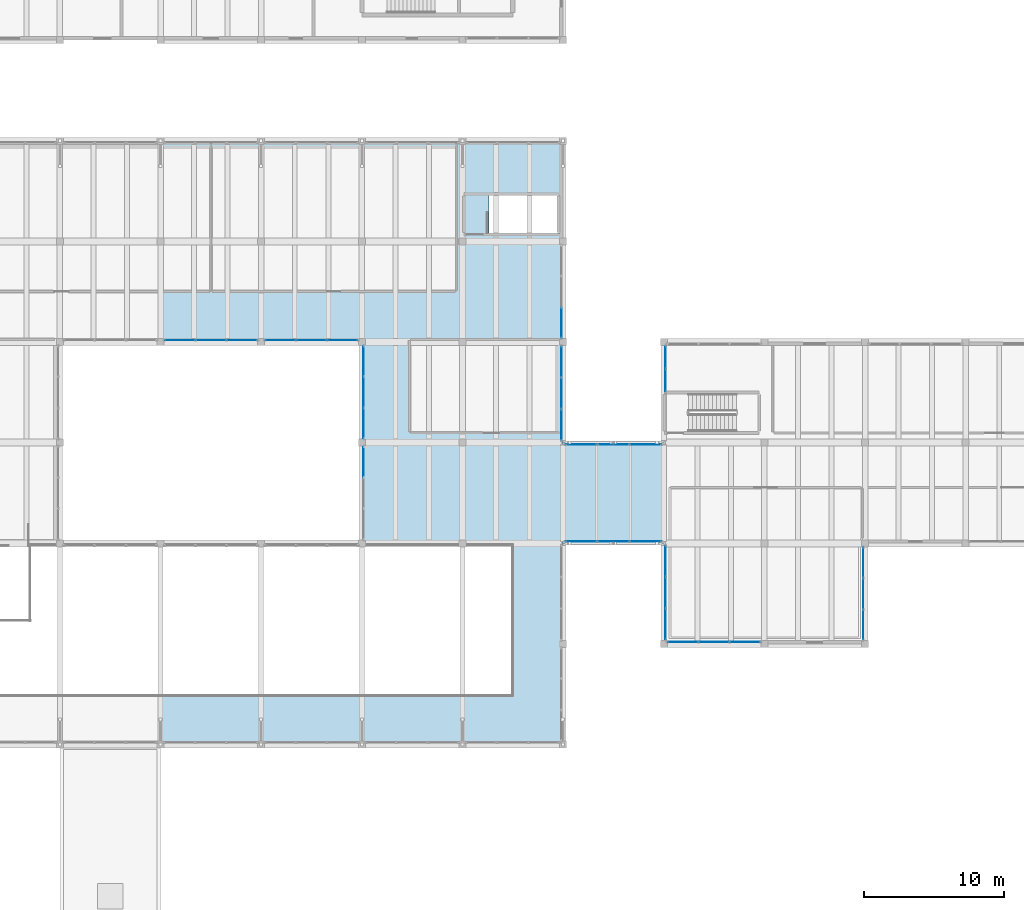
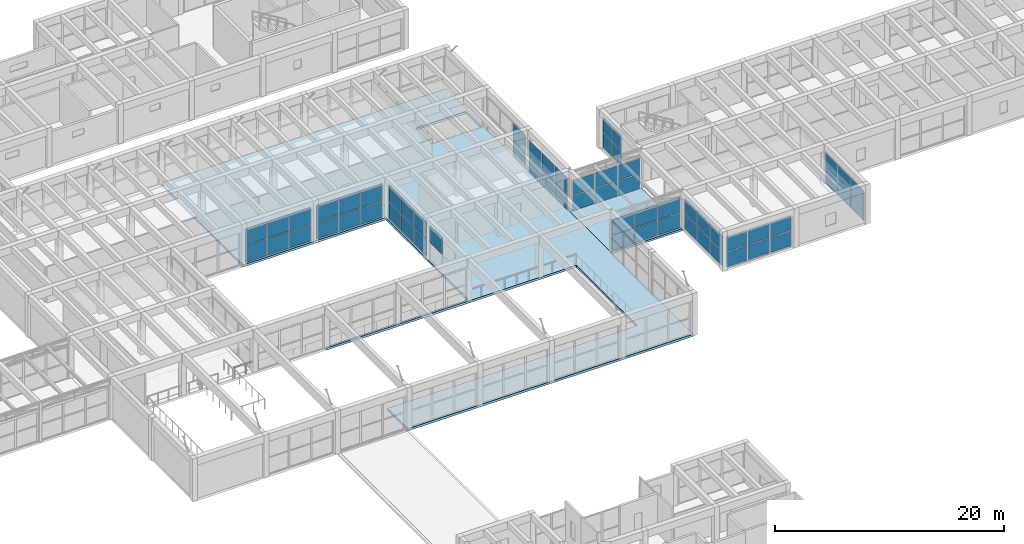
# One storey, part 120 of 153: 61 plates, 2 slabs, 12 elements without a shape of their own.
"""IFC4 building model written with IfcOpenShell, lengths in metres."""

from ifc_helpers import new_model, si_unit, direction, frame, origin, origin_2d, place, context, subcontext, project, spatial, polyline, rectangle, outline, extrude, material, layer, layer_set, type_object, element, aggregate, save


model = new_model("IFC4")

# Units and contexts
model_context = context("Model", 3, precision=1e-05, world=origin(), true_north=direction((0.0, 1.0)))
body_context = subcontext(model_context, "Body", "Model", "MODEL_VIEW")
ifc_project = project(units=[si_unit("LENGTHUNIT", "METRE"), si_unit("AREAUNIT", "SQUARE_METRE"), si_unit("VOLUMEUNIT", "CUBIC_METRE"), si_unit("PLANEANGLEUNIT", "RADIAN"), si_unit("MASSUNIT", "GRAM", prefix="KILO")], contexts=[model_context])

# Site, building, storey
site_placement = place(None, origin())
site = spatial("IfcSite", under=ifc_project, at=site_placement, CompositionType="ELEMENT")
building_placement = place(site_placement, origin())
building = spatial("IfcBuilding", under=site, at=building_placement, Name="Bramvelor Terrace Health Centre", CompositionType="ELEMENT")
storey_placement = place(building_placement, frame((0.0, 0.0, 4.800048828125)))
storey = spatial("IfcBuildingStorey", under=building, at=storey_placement, Name="L02", CompositionType="ELEMENT", Elevation=4.800048828125)

# Curtain wall, plates
ifc_material_1 = material(Name="Anodized aluminium and double low-E glass", Category="aluminium")
curtain_wall_type_1 = type_object("IfcCurtainWallType", Name="CW-SYS-17", PredefinedType="NOTDEFINED", material=ifc_material_1)
curtain_wall_1_placement = place(storey_placement, origin())
curtain_wall_1 = element("IfcCurtainWall", 1, at=curtain_wall_1_placement, inside=storey, type_object=curtain_wall_type_1, Name="L02 Unitized Curtain Wall 97", PredefinedType="NOTDEFINED")
ifc_material_2 = material(Name="Double low-E laminated glass", Category="glass")
ifc_layer_1 = layer(ifc_material_2, 0.028076171875)
ifc_layer_set_1 = layer_set([ifc_layer_1], Name="Double low-E laminated glass")
plate_type = type_object("IfcPlateType", Name="CW-PNL-GLZ28", PredefinedType="CURTAIN_PANEL", material=ifc_layer_set_1)
plate_1_placement = place(storey_placement, frame((93.469970703125, 66.18212890625, 0.06494140625), z_axis=(0.0, 0.0, 1.0), x_axis=(0.0, -1.0, 0.0)))
plate_1 = element("IfcPlate", 2, at=plate_1_placement, type_object=plate_type, Name="CW-17 panel 3.1", PredefinedType="CURTAIN_PANEL", context=body_context, shape_type="SweptSolid", body=[
    extrude(rectangle(XDim=2.124267578125, YDim=0.028076171875, at=origin_2d()), origin(), (0.0, 0.0, 1.0), 1.757568359375),
])
plate_2_placement = place(storey_placement, frame((93.469970703125, 66.18212890625, 1.88720703125), z_axis=(0.0, 0.0, 1.0), x_axis=(0.0, -1.0, 0.0)))
plate_2 = element("IfcPlate", 3, at=plate_2_placement, type_object=plate_type, Name="CW-17 panel 3.2", PredefinedType="CURTAIN_PANEL", context=body_context, shape_type="SweptSolid", body=[
    extrude(rectangle(XDim=2.124267578125, YDim=0.028076171875, at=origin_2d()), origin(), (0.0, 0.0, 1.0), 1.757568359375),
])
aggregate(curtain_wall_1, [plate_1, plate_2])

ifc_material_3 = material(Name="Anodized aluminium and double low-E glass", Category="aluminium")
curtain_wall_type_2 = type_object("IfcCurtainWallType", Name="CW-SYS-01", PredefinedType="NOTDEFINED", material=ifc_material_3)
curtain_wall_2_placement = place(storey_placement, origin())
curtain_wall_2 = element("IfcCurtainWall", 4, at=curtain_wall_2_placement, inside=storey, type_object=curtain_wall_type_2, Name="L02 Unitized Curtain Wall 98", PredefinedType="NOTDEFINED")
plate_3_placement = place(storey_placement, frame((93.469970703125, 63.39794921875, 0.06494140625), z_axis=(0.0, 0.0, 1.0), x_axis=(0.0, -1.0, 0.0)))
plate_3 = element("IfcPlate", 5, at=plate_3_placement, type_object=plate_type, Name="CW-01 panel 1.1", PredefinedType="CURTAIN_PANEL", context=body_context, shape_type="SweptSolid", body=[
    extrude(rectangle(XDim=2.1640625, YDim=0.028076171875, at=origin_2d()), origin(), (0.0, 0.0, 1.0), 1.676513671875),
])
plate_4_placement = place(storey_placement, frame((93.469970703125, 63.39794921875, 1.806640625), z_axis=(0.0, 0.0, 1.0), x_axis=(0.0, -1.0, 0.0)))
plate_4 = element("IfcPlate", 6, at=plate_4_placement, type_object=plate_type, Name="CW-01 panel 1.2", PredefinedType="CURTAIN_PANEL", context=body_context, shape_type="SweptSolid", body=[
    extrude(rectangle(XDim=2.1640625, YDim=0.028076171875, at=origin_2d()), origin(), (0.0, 0.0, 1.0), 1.676513671875),
])
plate_5_placement = place(storey_placement, frame((93.469970703125, 61.14013671875, 0.06494140625), z_axis=(0.0, 0.0, 1.0), x_axis=(0.0, -1.0, 0.0)))
plate_5 = element("IfcPlate", 7, at=plate_5_placement, type_object=plate_type, Name="CW-01 panel 2.1", PredefinedType="CURTAIN_PANEL", context=body_context, shape_type="SweptSolid", body=[
    extrude(rectangle(XDim=2.20166015625, YDim=0.028076171875, at=origin_2d()), origin(), (0.0, 0.0, 1.0), 1.676513671875),
])
plate_6_placement = place(storey_placement, frame((93.469970703125, 61.14013671875, 1.806640625), z_axis=(0.0, 0.0, 1.0), x_axis=(0.0, -1.0, 0.0)))
plate_6 = element("IfcPlate", 8, at=plate_6_placement, type_object=plate_type, Name="CW-01 panel 2.2", PredefinedType="CURTAIN_PANEL", context=body_context, shape_type="SweptSolid", body=[
    extrude(rectangle(XDim=2.20166015625, YDim=0.028076171875, at=origin_2d()), origin(), (0.0, 0.0, 1.0), 1.676513671875),
])
plate_7_placement = place(storey_placement, frame((93.469970703125, 58.882080078125, 0.06494140625), z_axis=(0.0, 0.0, 1.0), x_axis=(0.0, -1.0, 0.0)))
plate_7 = element("IfcPlate", 9, at=plate_7_placement, type_object=plate_type, Name="CW-01 panel 3.1", PredefinedType="CURTAIN_PANEL", context=body_context, shape_type="SweptSolid", body=[
    extrude(rectangle(XDim=2.1640625, YDim=0.028076171875, at=origin_2d()), origin(), (0.0, 0.0, 1.0), 1.676513671875),
])
plate_8_placement = place(storey_placement, frame((93.469970703125, 58.882080078125, 1.806640625), z_axis=(0.0, 0.0, 1.0), x_axis=(0.0, -1.0, 0.0)))
plate_8 = element("IfcPlate", 10, at=plate_8_placement, type_object=plate_type, Name="CW-01 panel 3.2", PredefinedType="CURTAIN_PANEL", context=body_context, shape_type="SweptSolid", body=[
    extrude(rectangle(XDim=2.1640625, YDim=0.028076171875, at=origin_2d()), origin(), (0.0, 0.0, 1.0), 1.676513671875),
])
aggregate(curtain_wall_2, [plate_3, plate_4, plate_5, plate_6, plate_7, plate_8])

ifc_material_4 = material(Name="Anodized aluminium and double low-E glass", Category="aluminium")
curtain_wall_type_3 = type_object("IfcCurtainWallType", Name="CW-SYS-18", PredefinedType="NOTDEFINED", material=ifc_material_4)
curtain_wall_3_placement = place(storey_placement, origin())
curtain_wall_3 = element("IfcCurtainWall", 11, at=curtain_wall_3_placement, inside=storey, type_object=curtain_wall_type_3, Name="L02 Unitized Curtain Wall 99", PredefinedType="NOTDEFINED")
plate_9_placement = place(storey_placement, frame((94.90087890625, 57.469970703125, 0.06494140625), z_axis=(0.0, 0.0, 1.0), x_axis=(1.0, 0.0, 0.0)))
plate_9 = element("IfcPlate", 12, at=plate_9_placement, type_object=plate_type, Name="CW-18 panel 1.1", PredefinedType="CURTAIN_PANEL", context=body_context, shape_type="SweptSolid", body=[
    extrude(rectangle(XDim=2.205322265625, YDim=0.028076171875, at=origin_2d()), origin(), (0.0, 0.0, 1.0), 1.58251953125),
])
plate_10_placement = place(storey_placement, frame((94.90087890625, 57.469970703125, 1.71240234375), z_axis=(0.0, 0.0, 1.0), x_axis=(1.0, 0.0, 0.0)))
plate_10 = element("IfcPlate", 13, at=plate_10_placement, type_object=plate_type, Name="CW-18 panel 1.2", PredefinedType="CURTAIN_PANEL", context=body_context, shape_type="SweptSolid", body=[
    extrude(rectangle(XDim=2.205322265625, YDim=0.028076171875, at=origin_2d()), origin(), (0.0, 0.0, 1.0), 1.58251953125),
])
plate_11_placement = place(storey_placement, frame((97.199951171875, 57.469970703125, 0.06494140625), z_axis=(0.0, 0.0, 1.0), x_axis=(1.0, 0.0, 0.0)))
plate_11 = element("IfcPlate", 14, at=plate_11_placement, type_object=plate_type, Name="CW-18 panel 2.1", PredefinedType="CURTAIN_PANEL", context=body_context, shape_type="SweptSolid", body=[
    extrude(rectangle(XDim=2.242919921875, YDim=0.028076171875, at=origin_2d()), origin(), (0.0, 0.0, 1.0), 1.58251953125),
])
plate_12_placement = place(storey_placement, frame((97.199951171875, 57.469970703125, 1.71240234375), z_axis=(0.0, 0.0, 1.0), x_axis=(1.0, 0.0, 0.0)))
plate_12 = element("IfcPlate", 15, at=plate_12_placement, type_object=plate_type, Name="CW-18 panel 2.2", PredefinedType="CURTAIN_PANEL", context=body_context, shape_type="SweptSolid", body=[
    extrude(rectangle(XDim=2.242919921875, YDim=0.028076171875, at=origin_2d()), origin(), (0.0, 0.0, 1.0), 1.58251953125),
])
plate_13_placement = place(storey_placement, frame((99.499267578125, 57.469970703125, 0.06494140625), z_axis=(0.0, 0.0, 1.0), x_axis=(1.0, 0.0, 0.0)))
plate_13 = element("IfcPlate", 16, at=plate_13_placement, type_object=plate_type, Name="CW-18 panel 3.1", PredefinedType="CURTAIN_PANEL", context=body_context, shape_type="SweptSolid", body=[
    extrude(rectangle(XDim=2.205322265625, YDim=0.028076171875, at=origin_2d()), origin(), (0.0, 0.0, 1.0), 1.58251953125),
])
plate_14_placement = place(storey_placement, frame((99.499267578125, 57.469970703125, 1.71240234375), z_axis=(0.0, 0.0, 1.0), x_axis=(1.0, 0.0, 0.0)))
plate_14 = element("IfcPlate", 17, at=plate_14_placement, type_object=plate_type, Name="CW-18 panel 3.2", PredefinedType="CURTAIN_PANEL", context=body_context, shape_type="SweptSolid", body=[
    extrude(rectangle(XDim=2.205322265625, YDim=0.028076171875, at=origin_2d()), origin(), (0.0, 0.0, 1.0), 1.58251953125),
])
aggregate(curtain_wall_3, [plate_9, plate_10, plate_11, plate_12, plate_13, plate_14])

ifc_material_5 = material(Name="Anodized aluminium and double low-E glass", Category="aluminium")
curtain_wall_type_4 = type_object("IfcCurtainWallType", Name="CW-SYS-19", PredefinedType="NOTDEFINED", material=ifc_material_5)
curtain_wall_4_placement = place(storey_placement, origin())
curtain_wall_4 = element("IfcCurtainWall", 18, at=curtain_wall_4_placement, inside=storey, type_object=curtain_wall_type_4, Name="L02 Unitized Curtain Wall 100", PredefinedType="NOTDEFINED")
plate_15_placement = place(storey_placement, frame((100.929931640625, 62.0576171875, 0.06494140625), z_axis=(0.0, 0.0, 1.0), x_axis=(0.0, 1.0, 0.0)))
plate_15 = element("IfcPlate", 19, at=plate_15_placement, type_object=plate_type, Name="CW-19 panel 1.1", PredefinedType="CURTAIN_PANEL", context=body_context, shape_type="SweptSolid", body=[
    extrude(rectangle(XDim=1.56494140625, YDim=0.028076171875, at=origin_2d()), origin(), (0.0, 0.0, 1.0), 1.58251953125),
])
plate_16_placement = place(storey_placement, frame((100.929931640625, 62.0576171875, 1.71240234375), z_axis=(0.0, 0.0, 1.0), x_axis=(0.0, 1.0, 0.0)))
plate_16 = element("IfcPlate", 20, at=plate_16_placement, type_object=plate_type, Name="CW-19 panel 1.2", PredefinedType="CURTAIN_PANEL", context=body_context, shape_type="SweptSolid", body=[
    extrude(rectangle(XDim=1.56494140625, YDim=0.028076171875, at=origin_2d()), origin(), (0.0, 0.0, 1.0), 1.58251953125),
])
plate_17_placement = place(storey_placement, frame((100.929931640625, 63.697509765625, 0.06494140625), z_axis=(0.0, 0.0, 1.0), x_axis=(0.0, 1.0, 0.0)))
plate_17 = element("IfcPlate", 21, at=plate_17_placement, type_object=plate_type, Name="CW-19 panel 2.1", PredefinedType="CURTAIN_PANEL", context=body_context, shape_type="SweptSolid", body=[
    extrude(rectangle(XDim=1.56494140625, YDim=0.028076171875, at=origin_2d()), origin(), (0.0, 0.0, 1.0), 1.58251953125),
])
plate_18_placement = place(storey_placement, frame((100.929931640625, 63.697509765625, 1.71240234375), z_axis=(0.0, 0.0, 1.0), x_axis=(0.0, 1.0, 0.0)))
plate_18 = element("IfcPlate", 22, at=plate_18_placement, type_object=plate_type, Name="CW-19 panel 2.2", PredefinedType="CURTAIN_PANEL", context=body_context, shape_type="SweptSolid", body=[
    extrude(rectangle(XDim=1.56494140625, YDim=0.028076171875, at=origin_2d()), origin(), (0.0, 0.0, 1.0), 1.58251953125),
])
aggregate(curtain_wall_4, [plate_15, plate_16, plate_17, plate_18])

ifc_material_6 = material(Name="Anodized aluminium and double low-E glass", Category="aluminium")
curtain_wall_type_5 = type_object("IfcCurtainWallType", Name="CW-SYS-16", PredefinedType="NOTDEFINED", material=ifc_material_6)
curtain_wall_5_placement = place(storey_placement, origin())
curtain_wall_5 = element("IfcCurtainWall", 23, at=curtain_wall_5_placement, inside=storey, type_object=curtain_wall_type_5, Name="L02 Unitized Curtain Wall 111", PredefinedType="NOTDEFINED")
plate_19_placement = place(storey_placement, frame((115.070068359375, 49.017822265625, 0.06494140625), z_axis=(0.0, 0.0, 1.0), x_axis=(0.0, -1.0, 0.0)))
plate_19 = element("IfcPlate", 24, at=plate_19_placement, type_object=plate_type, Name="CW-16 panel 1.1", PredefinedType="CURTAIN_PANEL", context=body_context, shape_type="SweptSolid", body=[
    extrude(rectangle(XDim=2.124267578125, YDim=0.028076171875, at=origin_2d()), origin(), (0.0, 0.0, 1.0), 1.58251953125),
])
plate_20_placement = place(storey_placement, frame((115.070068359375, 49.017822265625, 1.71240234375), z_axis=(0.0, 0.0, 1.0), x_axis=(0.0, -1.0, 0.0)))
plate_20 = element("IfcPlate", 25, at=plate_20_placement, type_object=plate_type, Name="CW-16 panel 1.2", PredefinedType="CURTAIN_PANEL", context=body_context, shape_type="SweptSolid", body=[
    extrude(rectangle(XDim=2.124267578125, YDim=0.028076171875, at=origin_2d()), origin(), (0.0, 0.0, 1.0), 1.58251953125),
])
plate_21_placement = place(storey_placement, frame((115.070068359375, 46.800048828125, 0.06494140625), z_axis=(0.0, 0.0, 1.0), x_axis=(0.0, -1.0, 0.0)))
plate_21 = element("IfcPlate", 26, at=plate_21_placement, type_object=plate_type, Name="CW-16 panel 2.1", PredefinedType="CURTAIN_PANEL", context=body_context, shape_type="SweptSolid", body=[
    extrude(rectangle(XDim=2.16162109375, YDim=0.028076171875, at=origin_2d()), origin(), (0.0, 0.0, 1.0), 1.58251953125),
])
plate_22_placement = place(storey_placement, frame((115.070068359375, 46.800048828125, 1.71240234375), z_axis=(0.0, 0.0, 1.0), x_axis=(0.0, -1.0, 0.0)))
plate_22 = element("IfcPlate", 27, at=plate_22_placement, type_object=plate_type, Name="CW-16 panel 2.2", PredefinedType="CURTAIN_PANEL", context=body_context, shape_type="SweptSolid", body=[
    extrude(rectangle(XDim=2.16162109375, YDim=0.028076171875, at=origin_2d()), origin(), (0.0, 0.0, 1.0), 1.58251953125),
])
plate_23_placement = place(storey_placement, frame((115.070068359375, 44.58203125, 0.06494140625), z_axis=(0.0, 0.0, 1.0), x_axis=(0.0, -1.0, 0.0)))
plate_23 = element("IfcPlate", 28, at=plate_23_placement, type_object=plate_type, Name="CW-16 panel 3.1", PredefinedType="CURTAIN_PANEL", context=body_context, shape_type="SweptSolid", body=[
    extrude(rectangle(XDim=2.124267578125, YDim=0.028076171875, at=origin_2d()), origin(), (0.0, 0.0, 1.0), 1.58251953125),
])
plate_24_placement = place(storey_placement, frame((115.070068359375, 44.58203125, 1.71240234375), z_axis=(0.0, 0.0, 1.0), x_axis=(0.0, -1.0, 0.0)))
plate_24 = element("IfcPlate", 29, at=plate_24_placement, type_object=plate_type, Name="CW-16 panel 3.2", PredefinedType="CURTAIN_PANEL", context=body_context, shape_type="SweptSolid", body=[
    extrude(rectangle(XDim=2.124267578125, YDim=0.028076171875, at=origin_2d()), origin(), (0.0, 0.0, 1.0), 1.58251953125),
])
aggregate(curtain_wall_5, [plate_19, plate_20, plate_21, plate_22, plate_23, plate_24])

curtain_wall_6_placement = place(storey_placement, origin())
curtain_wall_6 = element("IfcCurtainWall", 30, at=curtain_wall_6_placement, inside=storey, type_object=curtain_wall_type_5, Name="L02 Unitized Curtain Wall 112", PredefinedType="NOTDEFINED")
plate_25_placement = place(storey_placement, frame((106.617919921875, 43.330078125, 0.06494140625), z_axis=(0.0, 0.0, 1.0), x_axis=(-1.0, 0.0, 0.0)))
plate_25 = element("IfcPlate", 31, at=plate_25_placement, type_object=plate_type, Name="CW-16 panel 1.1", PredefinedType="CURTAIN_PANEL", context=body_context, shape_type="SweptSolid", body=[
    extrude(rectangle(XDim=2.124267578125, YDim=0.028076171875, at=origin_2d()), origin(), (0.0, 0.0, 1.0), 1.58251953125),
])
plate_26_placement = place(storey_placement, frame((106.617919921875, 43.330078125, 1.71240234375), z_axis=(0.0, 0.0, 1.0), x_axis=(-1.0, 0.0, 0.0)))
plate_26 = element("IfcPlate", 32, at=plate_26_placement, type_object=plate_type, Name="CW-16 panel 1.2", PredefinedType="CURTAIN_PANEL", context=body_context, shape_type="SweptSolid", body=[
    extrude(rectangle(XDim=2.124267578125, YDim=0.028076171875, at=origin_2d()), origin(), (0.0, 0.0, 1.0), 1.58251953125),
])
plate_27_placement = place(storey_placement, frame((104.39990234375, 43.330078125, 0.06494140625), z_axis=(0.0, 0.0, 1.0), x_axis=(-1.0, 0.0, 0.0)))
plate_27 = element("IfcPlate", 33, at=plate_27_placement, type_object=plate_type, Name="CW-16 panel 2.1", PredefinedType="CURTAIN_PANEL", context=body_context, shape_type="SweptSolid", body=[
    extrude(rectangle(XDim=2.16162109375, YDim=0.028076171875, at=origin_2d()), origin(), (0.0, 0.0, 1.0), 1.58251953125),
])
plate_28_placement = place(storey_placement, frame((104.39990234375, 43.330078125, 1.71240234375), z_axis=(0.0, 0.0, 1.0), x_axis=(-1.0, 0.0, 0.0)))
plate_28 = element("IfcPlate", 34, at=plate_28_placement, type_object=plate_type, Name="CW-16 panel 2.2", PredefinedType="CURTAIN_PANEL", context=body_context, shape_type="SweptSolid", body=[
    extrude(rectangle(XDim=2.16162109375, YDim=0.028076171875, at=origin_2d()), origin(), (0.0, 0.0, 1.0), 1.58251953125),
])
plate_29_placement = place(storey_placement, frame((102.18212890625, 43.330078125, 0.06494140625), z_axis=(0.0, 0.0, 1.0), x_axis=(-1.0, 0.0, 0.0)))
plate_29 = element("IfcPlate", 35, at=plate_29_placement, type_object=plate_type, Name="CW-16 panel 3.1", PredefinedType="CURTAIN_PANEL", context=body_context, shape_type="SweptSolid", body=[
    extrude(rectangle(XDim=2.124267578125, YDim=0.028076171875, at=origin_2d()), origin(), (0.0, 0.0, 1.0), 1.58251953125),
])
plate_30_placement = place(storey_placement, frame((102.18212890625, 43.330078125, 1.71240234375), z_axis=(0.0, 0.0, 1.0), x_axis=(-1.0, 0.0, 0.0)))
plate_30 = element("IfcPlate", 36, at=plate_30_placement, type_object=plate_type, Name="CW-16 panel 3.2", PredefinedType="CURTAIN_PANEL", context=body_context, shape_type="SweptSolid", body=[
    extrude(rectangle(XDim=2.124267578125, YDim=0.028076171875, at=origin_2d()), origin(), (0.0, 0.0, 1.0), 1.58251953125),
])
aggregate(curtain_wall_6, [plate_25, plate_26, plate_27, plate_28, plate_29, plate_30])

curtain_wall_7_placement = place(storey_placement, origin())
curtain_wall_7 = element("IfcCurtainWall", 37, at=curtain_wall_7_placement, inside=storey, type_object=curtain_wall_type_5, Name="L02 Unitized Curtain Wall 113", PredefinedType="NOTDEFINED")
plate_31_placement = place(storey_placement, frame((100.929931640625, 44.60205078125, 0.06494140625), z_axis=(0.0, 0.0, 1.0), x_axis=(0.0, 1.0, 0.0)))
plate_31 = element("IfcPlate", 38, at=plate_31_placement, type_object=plate_type, Name="CW-16 panel 1.1", PredefinedType="CURTAIN_PANEL", context=body_context, shape_type="SweptSolid", body=[
    extrude(rectangle(XDim=2.1640625, YDim=0.028076171875, at=origin_2d()), origin(), (0.0, 0.0, 1.0), 1.58251953125),
])
plate_32_placement = place(storey_placement, frame((100.929931640625, 44.60205078125, 1.71240234375), z_axis=(0.0, 0.0, 1.0), x_axis=(0.0, 1.0, 0.0)))
plate_32 = element("IfcPlate", 39, at=plate_32_placement, type_object=plate_type, Name="CW-16 panel 1.2", PredefinedType="CURTAIN_PANEL", context=body_context, shape_type="SweptSolid", body=[
    extrude(rectangle(XDim=2.1640625, YDim=0.028076171875, at=origin_2d()), origin(), (0.0, 0.0, 1.0), 1.58251953125),
])
plate_33_placement = place(storey_placement, frame((100.929931640625, 46.85986328125, 0.06494140625), z_axis=(0.0, 0.0, 1.0), x_axis=(0.0, 1.0, 0.0)))
plate_33 = element("IfcPlate", 40, at=plate_33_placement, type_object=plate_type, Name="CW-16 panel 2.1", PredefinedType="CURTAIN_PANEL", context=body_context, shape_type="SweptSolid", body=[
    extrude(rectangle(XDim=2.20166015625, YDim=0.028076171875, at=origin_2d()), origin(), (0.0, 0.0, 1.0), 1.58251953125),
])
plate_34_placement = place(storey_placement, frame((100.929931640625, 46.85986328125, 1.71240234375), z_axis=(0.0, 0.0, 1.0), x_axis=(0.0, 1.0, 0.0)))
plate_34 = element("IfcPlate", 41, at=plate_34_placement, type_object=plate_type, Name="CW-16 panel 2.2", PredefinedType="CURTAIN_PANEL", context=body_context, shape_type="SweptSolid", body=[
    extrude(rectangle(XDim=2.20166015625, YDim=0.028076171875, at=origin_2d()), origin(), (0.0, 0.0, 1.0), 1.58251953125),
])
plate_35_placement = place(storey_placement, frame((100.929931640625, 49.117919921875, 0.06494140625), z_axis=(0.0, 0.0, 1.0), x_axis=(0.0, 1.0, 0.0)))
plate_35 = element("IfcPlate", 42, at=plate_35_placement, type_object=plate_type, Name="CW-16 panel 3.1", PredefinedType="CURTAIN_PANEL", context=body_context, shape_type="SweptSolid", body=[
    extrude(rectangle(XDim=2.1640625, YDim=0.028076171875, at=origin_2d()), origin(), (0.0, 0.0, 1.0), 1.58251953125),
])
plate_36_placement = place(storey_placement, frame((100.929931640625, 49.117919921875, 1.71240234375), z_axis=(0.0, 0.0, 1.0), x_axis=(0.0, 1.0, 0.0)))
plate_36 = element("IfcPlate", 43, at=plate_36_placement, type_object=plate_type, Name="CW-16 panel 3.2", PredefinedType="CURTAIN_PANEL", context=body_context, shape_type="SweptSolid", body=[
    extrude(rectangle(XDim=2.1640625, YDim=0.028076171875, at=origin_2d()), origin(), (0.0, 0.0, 1.0), 1.58251953125),
])
aggregate(curtain_wall_7, [plate_31, plate_32, plate_33, plate_34, plate_35, plate_36])

curtain_wall_8_placement = place(storey_placement, origin())
curtain_wall_8 = element("IfcCurtainWall", 44, at=curtain_wall_8_placement, inside=storey, type_object=curtain_wall_type_3, Name="L02 Unitized Curtain Wall 114", PredefinedType="NOTDEFINED")
plate_37_placement = place(storey_placement, frame((99.499267578125, 50.530029296875, 0.06494140625), z_axis=(0.0, 0.0, 1.0), x_axis=(-1.0, 0.0, 0.0)))
plate_37 = element("IfcPlate", 45, at=plate_37_placement, type_object=plate_type, Name="CW-18 panel 1.1", PredefinedType="CURTAIN_PANEL", context=body_context, shape_type="SweptSolid", body=[
    extrude(rectangle(XDim=2.205322265625, YDim=0.028076171875, at=origin_2d()), origin(), (0.0, 0.0, 1.0), 1.58251953125),
])
plate_38_placement = place(storey_placement, frame((99.499267578125, 50.530029296875, 1.71240234375), z_axis=(0.0, 0.0, 1.0), x_axis=(-1.0, 0.0, 0.0)))
plate_38 = element("IfcPlate", 46, at=plate_38_placement, type_object=plate_type, Name="CW-18 panel 1.2", PredefinedType="CURTAIN_PANEL", context=body_context, shape_type="SweptSolid", body=[
    extrude(rectangle(XDim=2.205322265625, YDim=0.028076171875, at=origin_2d()), origin(), (0.0, 0.0, 1.0), 1.58251953125),
])
plate_39_placement = place(storey_placement, frame((97.199951171875, 50.530029296875, 0.06494140625), z_axis=(0.0, 0.0, 1.0), x_axis=(-1.0, 0.0, 0.0)))
plate_39 = element("IfcPlate", 47, at=plate_39_placement, type_object=plate_type, Name="CW-18 panel 2.1", PredefinedType="CURTAIN_PANEL", context=body_context, shape_type="SweptSolid", body=[
    extrude(rectangle(XDim=2.242919921875, YDim=0.028076171875, at=origin_2d()), origin(), (0.0, 0.0, 1.0), 1.58251953125),
])
plate_40_placement = place(storey_placement, frame((97.199951171875, 50.530029296875, 1.71240234375), z_axis=(0.0, 0.0, 1.0), x_axis=(-1.0, 0.0, 0.0)))
plate_40 = element("IfcPlate", 48, at=plate_40_placement, type_object=plate_type, Name="CW-18 panel 2.2", PredefinedType="CURTAIN_PANEL", context=body_context, shape_type="SweptSolid", body=[
    extrude(rectangle(XDim=2.242919921875, YDim=0.028076171875, at=origin_2d()), origin(), (0.0, 0.0, 1.0), 1.58251953125),
])
plate_41_placement = place(storey_placement, frame((94.90087890625, 50.530029296875, 0.06494140625), z_axis=(0.0, 0.0, 1.0), x_axis=(-1.0, 0.0, 0.0)))
plate_41 = element("IfcPlate", 49, at=plate_41_placement, type_object=plate_type, Name="CW-18 panel 3.1", PredefinedType="CURTAIN_PANEL", context=body_context, shape_type="SweptSolid", body=[
    extrude(rectangle(XDim=2.205322265625, YDim=0.028076171875, at=origin_2d()), origin(), (0.0, 0.0, 1.0), 1.58251953125),
])
plate_42_placement = place(storey_placement, frame((94.90087890625, 50.530029296875, 1.71240234375), z_axis=(0.0, 0.0, 1.0), x_axis=(-1.0, 0.0, 0.0)))
plate_42 = element("IfcPlate", 50, at=plate_42_placement, type_object=plate_type, Name="CW-18 panel 3.2", PredefinedType="CURTAIN_PANEL", context=body_context, shape_type="SweptSolid", body=[
    extrude(rectangle(XDim=2.205322265625, YDim=0.028076171875, at=origin_2d()), origin(), (0.0, 0.0, 1.0), 1.58251953125),
])
aggregate(curtain_wall_8, [plate_37, plate_38, plate_39, plate_40, plate_41, plate_42])

# Curtain wall, plate
curtain_wall_9_placement = place(storey_placement, origin())
curtain_wall_9 = element("IfcCurtainWall", 51, at=curtain_wall_9_placement, inside=storey, type_object=curtain_wall_type_1, Name="L02 Unitized Curtain Wall 138", PredefinedType="NOTDEFINED")
plate_43_placement = place(storey_placement, frame((79.330078125, 56.218017578125, 1.88720703125), z_axis=(0.0, 0.0, 1.0), x_axis=(0.0, 1.0, 0.0)))
plate_43 = element("IfcPlate", 52, at=plate_43_placement, type_object=plate_type, Name="CW-17 panel 3.2", PredefinedType="CURTAIN_PANEL", context=body_context, shape_type="SweptSolid", body=[
    extrude(rectangle(XDim=2.124267578125, YDim=0.028076171875, at=origin_2d()), origin(), (0.0, 0.0, 1.0), 1.757568359375),
])
aggregate(curtain_wall_9, [plate_43])

# Curtain wall, plates
curtain_wall_10_placement = place(storey_placement, origin())
curtain_wall_10 = element("IfcCurtainWall", 53, at=curtain_wall_10_placement, inside=storey, type_object=curtain_wall_type_1, Name="L02 Unitized Curtain Wall 139", PredefinedType="NOTDEFINED")
plate_44_placement = place(storey_placement, frame((79.330078125, 58.982177734375, 0.06494140625), z_axis=(0.0, 0.0, 1.0), x_axis=(0.0, 1.0, 0.0)))
plate_44 = element("IfcPlate", 54, at=plate_44_placement, type_object=plate_type, Name="CW-17 panel 1.1", PredefinedType="CURTAIN_PANEL", context=body_context, shape_type="SweptSolid", body=[
    extrude(rectangle(XDim=2.124267578125, YDim=0.028076171875, at=origin_2d()), origin(), (0.0, 0.0, 1.0), 1.757568359375),
])
plate_45_placement = place(storey_placement, frame((79.330078125, 58.982177734375, 1.88720703125), z_axis=(0.0, 0.0, 1.0), x_axis=(0.0, 1.0, 0.0)))
plate_45 = element("IfcPlate", 55, at=plate_45_placement, type_object=plate_type, Name="CW-17 panel 1.2", PredefinedType="CURTAIN_PANEL", context=body_context, shape_type="SweptSolid", body=[
    extrude(rectangle(XDim=2.124267578125, YDim=0.028076171875, at=origin_2d()), origin(), (0.0, 0.0, 1.0), 1.757568359375),
])
plate_46_placement = place(storey_placement, frame((79.330078125, 61.199951171875, 0.06494140625), z_axis=(0.0, 0.0, 1.0), x_axis=(0.0, 1.0, 0.0)))
plate_46 = element("IfcPlate", 56, at=plate_46_placement, type_object=plate_type, Name="CW-17 panel 2.1", PredefinedType="CURTAIN_PANEL", context=body_context, shape_type="SweptSolid", body=[
    extrude(rectangle(XDim=2.16162109375, YDim=0.028076171875, at=origin_2d()), origin(), (0.0, 0.0, 1.0), 1.757568359375),
])
plate_47_placement = place(storey_placement, frame((79.330078125, 61.199951171875, 1.88720703125), z_axis=(0.0, 0.0, 1.0), x_axis=(0.0, 1.0, 0.0)))
plate_47 = element("IfcPlate", 57, at=plate_47_placement, type_object=plate_type, Name="CW-17 panel 2.2", PredefinedType="CURTAIN_PANEL", context=body_context, shape_type="SweptSolid", body=[
    extrude(rectangle(XDim=2.16162109375, YDim=0.028076171875, at=origin_2d()), origin(), (0.0, 0.0, 1.0), 1.757568359375),
])
plate_48_placement = place(storey_placement, frame((79.330078125, 63.41796875, 0.06494140625), z_axis=(0.0, 0.0, 1.0), x_axis=(0.0, 1.0, 0.0)))
plate_48 = element("IfcPlate", 58, at=plate_48_placement, type_object=plate_type, Name="CW-17 panel 3.1", PredefinedType="CURTAIN_PANEL", context=body_context, shape_type="SweptSolid", body=[
    extrude(rectangle(XDim=2.124267578125, YDim=0.028076171875, at=origin_2d()), origin(), (0.0, 0.0, 1.0), 1.757568359375),
])
plate_49_placement = place(storey_placement, frame((79.330078125, 63.41796875, 1.88720703125), z_axis=(0.0, 0.0, 1.0), x_axis=(0.0, 1.0, 0.0)))
plate_49 = element("IfcPlate", 59, at=plate_49_placement, type_object=plate_type, Name="CW-17 panel 3.2", PredefinedType="CURTAIN_PANEL", context=body_context, shape_type="SweptSolid", body=[
    extrude(rectangle(XDim=2.124267578125, YDim=0.028076171875, at=origin_2d()), origin(), (0.0, 0.0, 1.0), 1.757568359375),
])
aggregate(curtain_wall_10, [plate_44, plate_45, plate_46, plate_47, plate_48, plate_49])

curtain_wall_11_placement = place(storey_placement, origin())
curtain_wall_11 = element("IfcCurtainWall", 60, at=curtain_wall_11_placement, inside=storey, type_object=curtain_wall_type_1, Name="L02 Unitized Curtain Wall 140", PredefinedType="NOTDEFINED")
plate_50_placement = place(storey_placement, frame((77.81787109375, 64.929931640625, 0.06494140625), z_axis=(0.0, 0.0, 1.0), x_axis=(-1.0, 0.0, 0.0)))
plate_50 = element("IfcPlate", 61, at=plate_50_placement, type_object=plate_type, Name="CW-17 panel 1.1", PredefinedType="CURTAIN_PANEL", context=body_context, shape_type="SweptSolid", body=[
    extrude(rectangle(XDim=2.124267578125, YDim=0.028076171875, at=origin_2d()), origin(), (0.0, 0.0, 1.0), 1.757568359375),
])
plate_51_placement = place(storey_placement, frame((77.81787109375, 64.929931640625, 1.88720703125), z_axis=(0.0, 0.0, 1.0), x_axis=(-1.0, 0.0, 0.0)))
plate_51 = element("IfcPlate", 62, at=plate_51_placement, type_object=plate_type, Name="CW-17 panel 1.2", PredefinedType="CURTAIN_PANEL", context=body_context, shape_type="SweptSolid", body=[
    extrude(rectangle(XDim=2.124267578125, YDim=0.028076171875, at=origin_2d()), origin(), (0.0, 0.0, 1.0), 1.757568359375),
])
plate_52_placement = place(storey_placement, frame((75.60009765625, 64.929931640625, 0.06494140625), z_axis=(0.0, 0.0, 1.0), x_axis=(-1.0, 0.0, 0.0)))
plate_52 = element("IfcPlate", 63, at=plate_52_placement, type_object=plate_type, Name="CW-17 panel 2.1", PredefinedType="CURTAIN_PANEL", context=body_context, shape_type="SweptSolid", body=[
    extrude(rectangle(XDim=2.16162109375, YDim=0.028076171875, at=origin_2d()), origin(), (0.0, 0.0, 1.0), 1.757568359375),
])
plate_53_placement = place(storey_placement, frame((75.60009765625, 64.929931640625, 1.88720703125), z_axis=(0.0, 0.0, 1.0), x_axis=(-1.0, 0.0, 0.0)))
plate_53 = element("IfcPlate", 64, at=plate_53_placement, type_object=plate_type, Name="CW-17 panel 2.2", PredefinedType="CURTAIN_PANEL", context=body_context, shape_type="SweptSolid", body=[
    extrude(rectangle(XDim=2.16162109375, YDim=0.028076171875, at=origin_2d()), origin(), (0.0, 0.0, 1.0), 1.757568359375),
])
plate_54_placement = place(storey_placement, frame((73.382080078125, 64.929931640625, 0.06494140625), z_axis=(0.0, 0.0, 1.0), x_axis=(-1.0, 0.0, 0.0)))
plate_54 = element("IfcPlate", 65, at=plate_54_placement, type_object=plate_type, Name="CW-17 panel 3.1", PredefinedType="CURTAIN_PANEL", context=body_context, shape_type="SweptSolid", body=[
    extrude(rectangle(XDim=2.124267578125, YDim=0.028076171875, at=origin_2d()), origin(), (0.0, 0.0, 1.0), 1.757568359375),
])
plate_55_placement = place(storey_placement, frame((73.382080078125, 64.929931640625, 1.88720703125), z_axis=(0.0, 0.0, 1.0), x_axis=(-1.0, 0.0, 0.0)))
plate_55 = element("IfcPlate", 66, at=plate_55_placement, type_object=plate_type, Name="CW-17 panel 3.2", PredefinedType="CURTAIN_PANEL", context=body_context, shape_type="SweptSolid", body=[
    extrude(rectangle(XDim=2.124267578125, YDim=0.028076171875, at=origin_2d()), origin(), (0.0, 0.0, 1.0), 1.757568359375),
])
aggregate(curtain_wall_11, [plate_50, plate_51, plate_52, plate_53, plate_54, plate_55])

curtain_wall_12_placement = place(storey_placement, origin())
curtain_wall_12 = element("IfcCurtainWall", 67, at=curtain_wall_12_placement, inside=storey, type_object=curtain_wall_type_1, Name="L02 Unitized Curtain Wall 141", PredefinedType="NOTDEFINED")
plate_56_placement = place(storey_placement, frame((70.617919921875, 64.929931640625, 0.06494140625), z_axis=(0.0, 0.0, 1.0), x_axis=(-1.0, 0.0, 0.0)))
plate_56 = element("IfcPlate", 68, at=plate_56_placement, type_object=plate_type, Name="CW-17 panel 1.1", PredefinedType="CURTAIN_PANEL", context=body_context, shape_type="SweptSolid", body=[
    extrude(rectangle(XDim=2.124267578125, YDim=0.028076171875, at=origin_2d()), origin(), (0.0, 0.0, 1.0), 1.757568359375),
])
plate_57_placement = place(storey_placement, frame((70.617919921875, 64.929931640625, 1.88720703125), z_axis=(0.0, 0.0, 1.0), x_axis=(-1.0, 0.0, 0.0)))
plate_57 = element("IfcPlate", 69, at=plate_57_placement, type_object=plate_type, Name="CW-17 panel 1.2", PredefinedType="CURTAIN_PANEL", context=body_context, shape_type="SweptSolid", body=[
    extrude(rectangle(XDim=2.124267578125, YDim=0.028076171875, at=origin_2d()), origin(), (0.0, 0.0, 1.0), 1.757568359375),
])
plate_58_placement = place(storey_placement, frame((68.39990234375, 64.929931640625, 0.06494140625), z_axis=(0.0, 0.0, 1.0), x_axis=(-1.0, 0.0, 0.0)))
plate_58 = element("IfcPlate", 70, at=plate_58_placement, type_object=plate_type, Name="CW-17 panel 2.1", PredefinedType="CURTAIN_PANEL", context=body_context, shape_type="SweptSolid", body=[
    extrude(rectangle(XDim=2.16162109375, YDim=0.028076171875, at=origin_2d()), origin(), (0.0, 0.0, 1.0), 1.757568359375),
])
plate_59_placement = place(storey_placement, frame((68.39990234375, 64.929931640625, 1.88720703125), z_axis=(0.0, 0.0, 1.0), x_axis=(-1.0, 0.0, 0.0)))
plate_59 = element("IfcPlate", 71, at=plate_59_placement, type_object=plate_type, Name="CW-17 panel 2.2", PredefinedType="CURTAIN_PANEL", context=body_context, shape_type="SweptSolid", body=[
    extrude(rectangle(XDim=2.16162109375, YDim=0.028076171875, at=origin_2d()), origin(), (0.0, 0.0, 1.0), 1.757568359375),
])
plate_60_placement = place(storey_placement, frame((66.18212890625, 64.929931640625, 0.06494140625), z_axis=(0.0, 0.0, 1.0), x_axis=(-1.0, 0.0, 0.0)))
plate_60 = element("IfcPlate", 72, at=plate_60_placement, type_object=plate_type, Name="CW-17 panel 3.1", PredefinedType="CURTAIN_PANEL", context=body_context, shape_type="SweptSolid", body=[
    extrude(rectangle(XDim=2.124267578125, YDim=0.028076171875, at=origin_2d()), origin(), (0.0, 0.0, 1.0), 1.757568359375),
])
plate_61_placement = place(storey_placement, frame((66.18212890625, 64.929931640625, 1.88720703125), z_axis=(0.0, 0.0, 1.0), x_axis=(-1.0, 0.0, 0.0)))
plate_61 = element("IfcPlate", 73, at=plate_61_placement, type_object=plate_type, Name="CW-17 panel 3.2", PredefinedType="CURTAIN_PANEL", context=body_context, shape_type="SweptSolid", body=[
    extrude(rectangle(XDim=2.124267578125, YDim=0.028076171875, at=origin_2d()), origin(), (0.0, 0.0, 1.0), 1.757568359375),
])
aggregate(curtain_wall_12, [plate_56, plate_57, plate_58, plate_59, plate_60, plate_61])

# Slabs
ifc_material_7 = material(Name="Concrete C40/50", Category="concrete")
ifc_layer_2 = layer(ifc_material_7, 0.219970703125)
ifc_layer_set_2 = layer_set([ifc_layer_2], Name="Concrete C40/50")
slab_type_1 = type_object("IfcSlabType", Name="SLB-FLR-BRG220", PredefinedType="FLOOR", material=ifc_layer_set_2)
slab_1_placement = place(storey_placement, frame((0.0, 0.0, -0.219970703125)))
element("IfcSlab", 74, at=slab_1_placement, inside=storey, type_object=slab_type_1, Name="L02 BR3 Floor Slab", PredefinedType="FLOOR", context=body_context, shape_type="SweptSolid", body=[
    extrude(outline(polyline([(100.800048828125, 50.39990234375), (100.800048828125, 57.60009765625), (93.60009765625, 57.60009765625), (93.60009765625, 50.39990234375), (100.800048828125, 50.39990234375)])), origin(), (0.0, 0.0, 1.0), 0.219970703125),
])
ifc_material_8 = material(Name="Concrete C40/50", Category="concrete")
ifc_layer_3 = layer(ifc_material_8, 0.239990234375)
ifc_layer_set_3 = layer_set([ifc_layer_3], Name="Concrete C40/50")
slab_type_2 = type_object("IfcSlabType", Name="SLB-FLR-RC240", PredefinedType="FLOOR", material=ifc_layer_set_3)
slab_2_placement = place(storey_placement, frame((0.0, 0.0, -0.239990234375)))
element("IfcSlab", 75, at=slab_2_placement, inside=storey, type_object=slab_type_2, Name="L02 V1_E Floor Slab", PredefinedType="FLOOR", context=body_context, shape_type="SweptSolid", body=[
    extrude(outline(polyline([(93.60009765625, 36.0), (64.800048828125, 36.0), (64.800048828125, 39.60009765625), (90.0, 39.60009765625), (90.0, 50.199951171875), (64.800048828125, 50.199951171875), (64.800048828125, 50.39990234375), (79.199951171875, 50.39990234375), (79.199951171875, 64.800048828125), (64.800048828125, 64.800048828125), (64.800048828125, 79.199951171875), (93.60009765625, 79.199951171875), (93.60009765625, 36.0)]), holes=[polyline([(93.35009765625, 75.300048828125), (88.280029296875, 75.300048828125), (88.280029296875, 72.60009765625), (93.35009765625, 72.60009765625), (93.35009765625, 75.300048828125)])]), origin(), (0.0, 0.0, 1.0), 0.239990234375),
])

save(model, "model.ifc")
